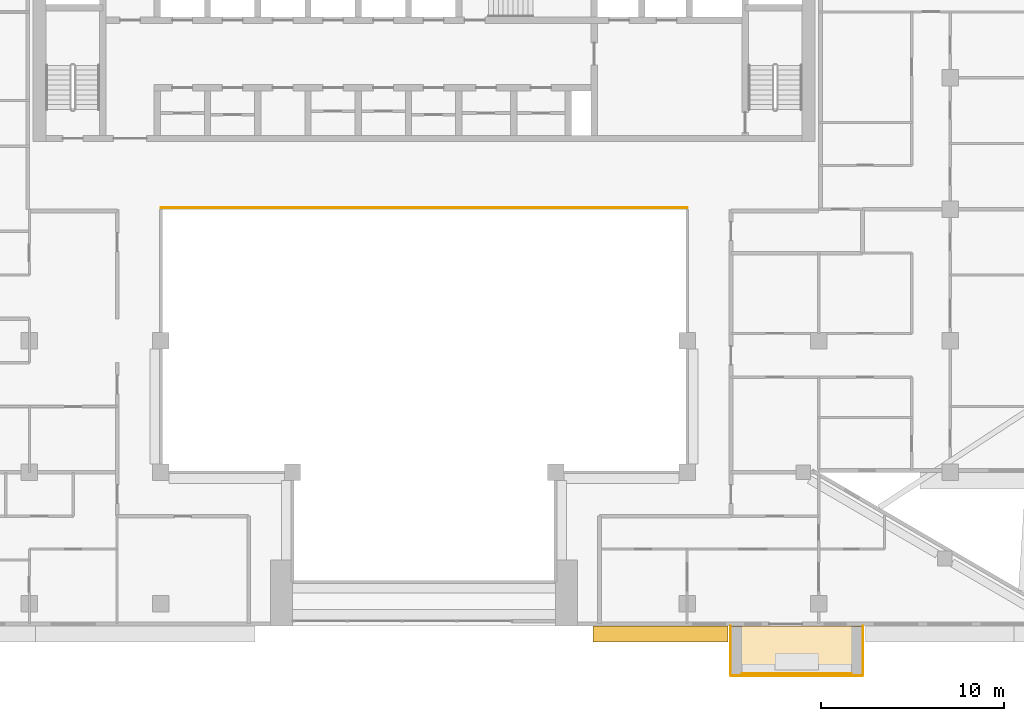
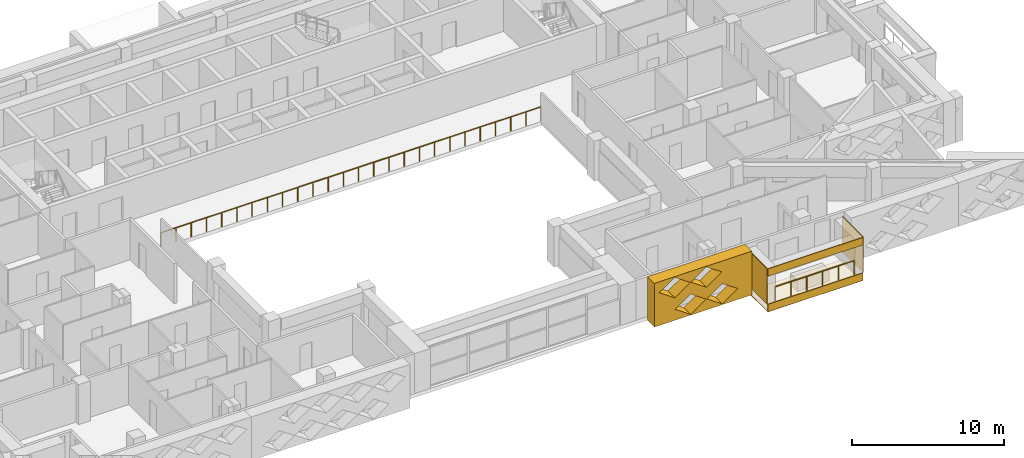
# One storey, part 16 of 20: 6 coverings, 2 railings.
"""IFC4 building model written with IfcOpenShell, lengths in metres."""

from ifc_helpers import new_model, si_unit, direction, frame, origin, origin_2d, place, context, subcontext, project, spatial, polyline, circle, outline, extrude, material, layer, layer_set, type_object, element, save


model = new_model("IFC4")

# Units and contexts
model_context = context("Model", 3, precision=1e-05, world=origin(), true_north=direction((0.0, 1.0)))
body_context = subcontext(model_context, "Body", "Model", "MODEL_VIEW")
ifc_project = project(units=[si_unit("LENGTHUNIT", "METRE"), si_unit("AREAUNIT", "SQUARE_METRE"), si_unit("VOLUMEUNIT", "CUBIC_METRE"), si_unit("PLANEANGLEUNIT", "RADIAN"), si_unit("MASSUNIT", "GRAM", prefix="KILO")], contexts=[model_context])

# Site, building, storey
site_placement = place(None, origin())
site = spatial("IfcSite", under=ifc_project, at=site_placement, CompositionType="ELEMENT")
building_placement = place(site_placement, origin())
building = spatial("IfcBuilding", under=site, at=building_placement, Name="Saffron Iwan Residences", CompositionType="ELEMENT")
storey_placement = place(building_placement, frame((0.0, 0.0, 185.0)))
storey = spatial("IfcBuildingStorey", under=building, at=storey_placement, Name="L49", CompositionType="ELEMENT", Elevation=185.0)

# Railings
ifc_material_1 = material(Name="Stainless steel 316", Category="steel")
railing_type_1 = type_object("IfcRailingType", Name="Atrium guard 1150", PredefinedType="GUARDRAIL", material=ifc_material_1)
railing_1_placement = place(storey_placement, frame((36.0, 62.47509765625, 0.0)))
element("IfcRailing", 1, at=railing_1_placement, inside=storey, type_object=railing_type_1, Name="Atrium guard L49", PredefinedType="GUARDRAIL", context=body_context, shape_type="SweptSolid", body=[
    extrude(circle(Radius=0.02392578125, at=origin_2d()), frame((0.0, 0.0, 1.1259765625), z_axis=(1.0, 0.0, 0.0), x_axis=(0.0, 1.0, 0.0)), (0.0, 0.0, 1.0), 28.800048828125),
    extrude(circle(Radius=0.02099609375, at=origin_2d()), origin(), (0.0, 0.0, 1.0), 1.101806640625),
    extrude(circle(Radius=0.02099609375, at=origin_2d()), frame((1.152099609375, 0.0, 0.0)), (0.0, 0.0, 1.0), 1.101806640625),
    extrude(circle(Radius=0.02099609375, at=origin_2d()), frame((2.303955078125, 0.0, 0.0)), (0.0, 0.0, 1.0), 1.101806640625),
    extrude(circle(Radius=0.02099609375, at=origin_2d()), frame((3.4560546875, 0.0, 0.0)), (0.0, 0.0, 1.0), 1.101806640625),
    extrude(circle(Radius=0.02099609375, at=origin_2d()), frame((4.60791015625, 0.0, 0.0)), (0.0, 0.0, 1.0), 1.101806640625),
    extrude(circle(Radius=0.02099609375, at=origin_2d()), frame((5.760009765625, 0.0, 0.0)), (0.0, 0.0, 1.0), 1.101806640625),
    extrude(circle(Radius=0.02099609375, at=origin_2d()), frame((6.912109375, 0.0, 0.0)), (0.0, 0.0, 1.0), 1.101806640625),
    extrude(circle(Radius=0.02099609375, at=origin_2d()), frame((8.06396484375, 0.0, 0.0)), (0.0, 0.0, 1.0), 1.101806640625),
    extrude(circle(Radius=0.02099609375, at=origin_2d()), frame((9.216064453125, 0.0, 0.0)), (0.0, 0.0, 1.0), 1.101806640625),
    extrude(circle(Radius=0.02099609375, at=origin_2d()), frame((10.367919921875, 0.0, 0.0)), (0.0, 0.0, 1.0), 1.101806640625),
    extrude(circle(Radius=0.02099609375, at=origin_2d()), frame((11.52001953125, 0.0, 0.0)), (0.0, 0.0, 1.0), 1.101806640625),
    extrude(circle(Radius=0.02099609375, at=origin_2d()), frame((12.672119140625, 0.0, 0.0)), (0.0, 0.0, 1.0), 1.101806640625),
    extrude(circle(Radius=0.02099609375, at=origin_2d()), frame((13.823974609375, 0.0, 0.0)), (0.0, 0.0, 1.0), 1.101806640625),
    extrude(circle(Radius=0.02099609375, at=origin_2d()), frame((14.97607421875, 0.0, 0.0)), (0.0, 0.0, 1.0), 1.101806640625),
    extrude(circle(Radius=0.02099609375, at=origin_2d()), frame((16.1279296875, 0.0, 0.0)), (0.0, 0.0, 1.0), 1.101806640625),
    extrude(circle(Radius=0.02099609375, at=origin_2d()), frame((17.280029296875, 0.0, 0.0)), (0.0, 0.0, 1.0), 1.101806640625),
    extrude(circle(Radius=0.02099609375, at=origin_2d()), frame((18.43212890625, 0.0, 0.0)), (0.0, 0.0, 1.0), 1.101806640625),
    extrude(circle(Radius=0.02099609375, at=origin_2d()), frame((19.583984375, 0.0, 0.0)), (0.0, 0.0, 1.0), 1.101806640625),
    extrude(circle(Radius=0.02099609375, at=origin_2d()), frame((20.736083984375, 0.0, 0.0)), (0.0, 0.0, 1.0), 1.101806640625),
    extrude(circle(Radius=0.02099609375, at=origin_2d()), frame((21.887939453125, 0.0, 0.0)), (0.0, 0.0, 1.0), 1.101806640625),
    extrude(circle(Radius=0.02099609375, at=origin_2d()), frame((23.0400390625, 0.0, 0.0)), (0.0, 0.0, 1.0), 1.101806640625),
    extrude(circle(Radius=0.02099609375, at=origin_2d()), frame((24.192138671875, 0.0, 0.0)), (0.0, 0.0, 1.0), 1.101806640625),
    extrude(circle(Radius=0.02099609375, at=origin_2d()), frame((25.343994140625, 0.0, 0.0)), (0.0, 0.0, 1.0), 1.101806640625),
    extrude(circle(Radius=0.02099609375, at=origin_2d()), frame((26.49609375, 0.0, 0.0)), (0.0, 0.0, 1.0), 1.101806640625),
    extrude(circle(Radius=0.02099609375, at=origin_2d()), frame((27.64794921875, 0.0, 0.0)), (0.0, 0.0, 1.0), 1.101806640625),
    extrude(circle(Radius=0.02099609375, at=origin_2d()), frame((28.800048828125, 0.0, 0.0)), (0.0, 0.0, 1.0), 1.101806640625),
])
railing_type_2 = type_object("IfcRailingType", Name="BALCONY GUARD 1150", PredefinedType="GUARDRAIL", material=ifc_material_1)
railing_2_placement = place(storey_placement, frame((67.800048828125, 36.97509765625, 0.0)))
element("IfcRailing", 2, at=railing_2_placement, inside=storey, type_object=railing_type_2, Name="Balcony guard L49 11-1", PredefinedType="GUARDRAIL", context=body_context, shape_type="SweptSolid", body=[
    extrude(circle(Radius=0.02392578125, at=origin_2d()), frame((0.0, 0.0, 1.1259765625), z_axis=(1.0, 0.0, 0.0), x_axis=(0.0, 1.0, 0.0)), (0.0, 0.0, 1.0), 6.0),
    extrude(circle(Radius=0.02099609375, at=origin_2d()), origin(), (0.0, 0.0, 1.0), 1.101806640625),
    extrude(circle(Radius=0.02099609375, at=origin_2d()), frame((1.199951171875, 0.0, 0.0)), (0.0, 0.0, 1.0), 1.101806640625),
    extrude(circle(Radius=0.02099609375, at=origin_2d()), frame((2.39990234375, 0.0, 0.0)), (0.0, 0.0, 1.0), 1.101806640625),
    extrude(circle(Radius=0.02099609375, at=origin_2d()), frame((3.60009765625, 0.0, 0.0)), (0.0, 0.0, 1.0), 1.101806640625),
    extrude(circle(Radius=0.02099609375, at=origin_2d()), frame((4.800048828125, 0.0, 0.0)), (0.0, 0.0, 1.0), 1.101806640625),
    extrude(circle(Radius=0.02099609375, at=origin_2d()), frame((6.0, 0.0, 0.0)), (0.0, 0.0, 1.0), 1.101806640625),
])

# Coverings
ifc_material_2 = material(Name="Precast concrete C40/50 white painted", Category="concrete")
ifc_layer = layer(ifc_material_2, 0.050048828125)
ifc_layer_set = layer_set([ifc_layer], Name="Precast concrete C40/50 white painted")
covering_type_1 = type_object("IfcCoveringType", Name="FRAME SKIN PRECAST WHITE 50", PredefinedType="CLADDING", material=ifc_layer_set)
for number, where, name in (
    (3, (0.0, 0.0, -0.60009765625), "Frame skin slab edge L49 11-1"),
    (4, (0.0, 0.0, 2.25), "Frame skin fascia L49 11-1"),
):
    element("IfcCovering", number, at=place(storey_placement, frame(where)), inside=storey, type_object=covering_type_1, Name=name, PredefinedType="CLADDING", context=body_context, shape_type="SweptSolid", body=[
        extrude(outline(polyline([(67.199951171875, 36.85009765625), (74.39990234375, 36.85009765625), (74.39990234375, 36.89990234375), (67.199951171875, 36.89990234375), (67.199951171875, 36.85009765625)])), origin(), (0.0, 0.0, 1.0), 0.60009765625),
    ])
covering_1_placement = place(storey_placement, frame((0.0, 0.0, -0.64990234375)))
element("IfcCovering", 5, at=covering_1_placement, inside=storey, type_object=covering_type_1, Name="Frame skin soffit L49 11-1", PredefinedType="CLADDING", context=body_context, shape_type="SweptSolid", body=[
    extrude(outline(polyline([(67.199951171875, 36.89990234375), (74.39990234375, 36.89990234375), (74.39990234375, 39.60009765625), (67.199951171875, 39.60009765625), (67.199951171875, 36.89990234375)])), origin(), (0.0, 0.0, 1.0), 0.0498046875),
])
covering_2_placement = place(storey_placement, origin())
element("IfcCovering", 6, at=covering_2_placement, inside=storey, type_object=covering_type_1, Name="Frame skin fin L49 11-1a", PredefinedType="CLADDING", context=body_context, shape_type="SweptSolid", body=[
    extrude(outline(polyline([(67.14990234375, 36.89990234375), (67.199951171875, 36.89990234375), (67.199951171875, 39.60009765625), (67.14990234375, 39.60009765625), (67.14990234375, 36.89990234375)])), origin(), (0.0, 0.0, 1.0), 2.85009765625),
])
covering_3_placement = place(storey_placement, origin())
element("IfcCovering", 7, at=covering_3_placement, inside=storey, type_object=covering_type_1, Name="Frame skin fin L49 11-1b", PredefinedType="CLADDING", context=body_context, shape_type="SweptSolid", body=[
    extrude(outline(polyline([(74.39990234375, 36.89990234375), (74.449951171875, 36.89990234375), (74.449951171875, 39.60009765625), (74.39990234375, 39.60009765625), (74.39990234375, 36.89990234375)])), origin(), (0.0, 0.0, 1.0), 2.85009765625),
])
ifc_material_3 = material(Name="Precast concrete C40/50", Category="concrete")
covering_type_2 = type_object("IfcCoveringType", Name="OUTER SKIN LATTICE SCREEN", PredefinedType="CLADDING", material=ifc_material_3)
covering_4_placement = place(storey_placement, frame((59.64990234375, 39.60009765625, -0.300048828125), z_axis=(0.0, -1.0, 0.0), x_axis=(1.0, 0.0, 0.0)))
element("IfcCovering", 8, at=covering_4_placement, inside=storey, type_object=covering_type_2, Name="OUTER SKIN lattice screen L49 F11.2", PredefinedType="CLADDING", context=body_context, shape_type="SweptSolid", body=[
    extrude(outline(polyline([(0.0, 0.0), (7.39990234375, 0.0), (7.39990234375, 3.5), (0.0, 3.5), (0.0, 0.0)]), holes=[polyline([(1.570068359375, 0.875), (2.75, 0.06005859375), (3.929931640625, 0.875), (2.75, 1.68994140625), (1.570068359375, 0.875)]), polyline([(3.969970703125, 0.875), (5.14990234375, 0.06005859375), (6.330078125, 0.875), (5.14990234375, 1.68994140625), (3.969970703125, 0.875)]), polyline([(0.3701171875, 2.625), (1.550048828125, 1.81005859375), (2.72998046875, 2.625), (1.550048828125, 3.43994140625), (0.3701171875, 2.625)]), polyline([(2.77001953125, 2.625), (3.949951171875, 1.81005859375), (5.1298828125, 2.625), (3.949951171875, 3.43994140625), (2.77001953125, 2.625)])]), origin(), (0.0, 0.0, 1.0), 0.900146484375),
])

save(model, "model.ifc")
